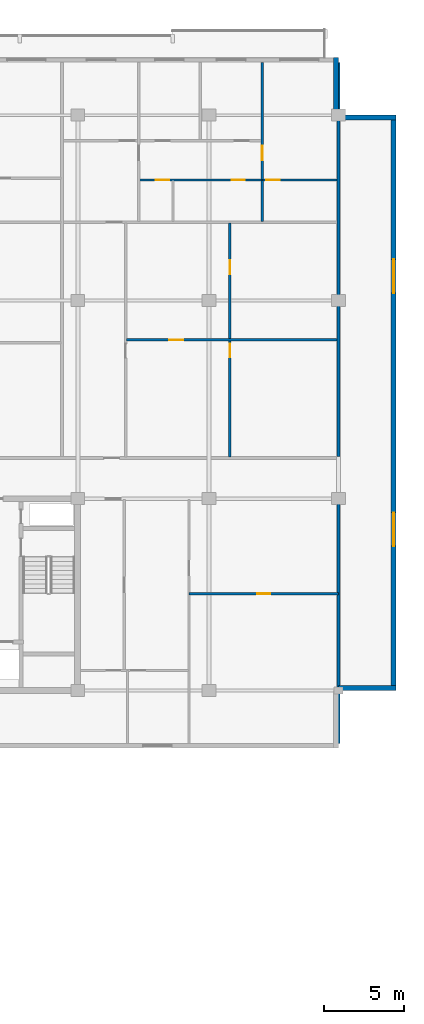
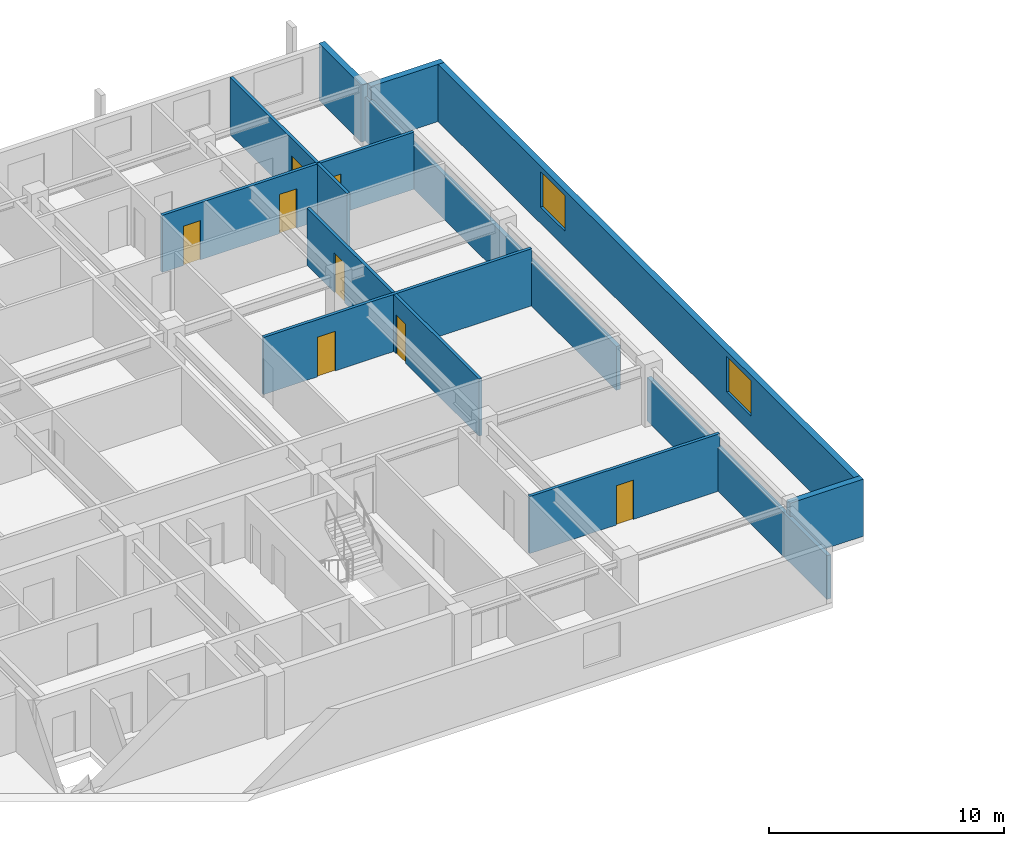
# One storey, part 17 of 23: 12 walls, 8 doors, 2 windows, 10 openings.
"""IFC4 building model written with IfcOpenShell, lengths in metres."""

from ifc_helpers import new_model, si_unit, direction, frame, frame_2d, origin, place, context, subcontext, project, spatial, rectangle, extrude, material, layer, layer_set, type_object, element, fill, save


model = new_model("IFC4")

# Units and contexts
model_context = context("Model", 3, precision=1e-05, world=origin(), true_north=direction((0.0, 1.0)))
body_context = subcontext(model_context, "Body", "Model", "MODEL_VIEW")
ifc_project = project(units=[si_unit("LENGTHUNIT", "METRE"), si_unit("AREAUNIT", "SQUARE_METRE"), si_unit("VOLUMEUNIT", "CUBIC_METRE"), si_unit("PLANEANGLEUNIT", "RADIAN"), si_unit("MASSUNIT", "GRAM", prefix="KILO")], contexts=[model_context])

# Site, building, storey
site_placement = place(None, origin())
site = spatial("IfcSite", under=ifc_project, at=site_placement, CompositionType="ELEMENT")
building_placement = place(site_placement, origin())
building = spatial("IfcBuilding", under=site, at=building_placement, Name="Korimba Cascade Residences", CompositionType="ELEMENT")
storey_placement = place(building_placement, frame((0.0, 0.0, 165.35009765625)))
storey = spatial("IfcBuildingStorey", under=building, at=storey_placement, Name="L47", CompositionType="ELEMENT", Elevation=165.35009765625)

# Wall
ifc_material_1 = material(Name="Precast concrete C40/50", Category="concrete")
ifc_layer_1 = layer(ifc_material_1, 0.300048828125)
ifc_layer_set_1 = layer_set([ifc_layer_1], Name="Precast concrete C40/50")
wall_type_1 = type_object("IfcWallType", Name="EW-STONE-300", PredefinedType="STANDARD", material=ifc_layer_set_1)
wall_1_placement = place(storey_placement, frame((128.39990234375, 55.35009765625, 0.0), z_axis=(0.0, 0.0, 1.0), x_axis=(1.0, 0.0, 0.0)))
element("IfcWall", 1, at=wall_1_placement, inside=storey, type_object=wall_type_1, Name="L47 T1 Perimeter Stone Wall E02", PredefinedType="STANDARD", context=body_context, shape_type="SweptSolid", body=[
    extrude(rectangle(XDim=3.60009765625, YDim=0.300048828125, at=frame_2d((1.800048828125, 0.0))), origin(), (0.0, 0.0, 1.0), 2.969970703125),
])

# Wall, openings, windows
wall_2_placement = place(storey_placement, frame((131.85009765625, 55.199951171875, 0.0), z_axis=(0.0, 0.0, 1.0), x_axis=(0.0, 1.0, 0.0)))
wall_2 = element("IfcWall", 2, at=wall_2_placement, inside=storey, type_object=wall_type_1, Name="L47 T1 Perimeter Stone Wall E03", PredefinedType="STANDARD", context=body_context, shape_type="SweptSolid", body=[
    extrude(rectangle(XDim=36.0, YDim=0.300048828125, at=frame_2d((18.0, 0.0))), origin(), (0.0, 0.0, 1.0), 2.969970703125),
])
opening_1_placement = place(wall_2_placement, frame((9.030029296875, 0.0, 0.85009765625)))
opening_1 = element("IfcOpeningElement", 3, at=opening_1_placement, cuts=wall_2, Name="Opening W-03", PredefinedType="OPENING", context=body_context, shape_type="SweptSolid", body=[
    extrude(rectangle(XDim=2.10009765625, YDim=1.85009765625, at=frame_2d((1.050048828125, 0.925048828125))), frame((0.0, 0.16015625, 0.0), z_axis=(0.0, -1.0, 0.0), x_axis=(1.0, 0.0, 0.0)), (0.0, 0.0, 1.0), 0.320068359375),
])
opening_2_placement = place(wall_2_placement, frame((24.8701171875, 0.0, 0.85009765625)))
opening_2 = element("IfcOpeningElement", 4, at=opening_2_placement, cuts=wall_2, Name="Opening W-03", PredefinedType="OPENING", context=body_context, shape_type="SweptSolid", body=[
    extrude(rectangle(XDim=2.10009765625, YDim=1.85009765625, at=frame_2d((1.050048828125, 0.925048828125))), frame((0.0, 0.16015625, 0.0), z_axis=(0.0, -1.0, 0.0), x_axis=(1.0, 0.0, 0.0)), (0.0, 0.0, 1.0), 0.320068359375),
])
ifc_material_2 = material(Name="Double-Glazed Aluminium Window", Category="aluminium")
window_type = type_object("IfcWindowType", Name="WIN-CRN-2100", PartitioningType="DOUBLE_PANEL_HORIZONTAL", PredefinedType="WINDOW", material=ifc_material_2)
window_1_placement = place(opening_1_placement, origin())
window_1 = element("IfcWindow", 5, at=window_1_placement, inside=storey, type_object=window_type, Name="L47 T1 End View Window 3.1", OverallHeight=1.85009765625, OverallWidth=2.10009765625, PartitioningType="DOUBLE_PANEL_HORIZONTAL", PredefinedType="WINDOW", context=body_context, shape_type="SweptSolid", body=[
    extrude(rectangle(XDim=2.10009765625, YDim=1.85009765625, at=frame_2d((1.050048828125, 0.925048828125))), frame((0.0, 0.030029296875, 0.0), z_axis=(0.0, -1.0, 0.0), x_axis=(1.0, 0.0, 0.0)), (0.0, 0.0, 1.0), 0.06005859375),
])
fill(opening_1, window_1)
window_2_placement = place(opening_2_placement, origin())
window_2 = element("IfcWindow", 6, at=window_2_placement, inside=storey, type_object=window_type, Name="L47 T1 End View Window 3.2", OverallHeight=1.85009765625, OverallWidth=2.10009765625, PartitioningType="DOUBLE_PANEL_HORIZONTAL", PredefinedType="WINDOW", context=body_context, shape_type="SweptSolid", body=[
    extrude(rectangle(XDim=2.10009765625, YDim=1.85009765625, at=frame_2d((1.050048828125, 0.925048828125))), frame((0.0, 0.030029296875, 0.0), z_axis=(0.0, -1.0, 0.0), x_axis=(1.0, 0.0, 0.0)), (0.0, 0.0, 1.0), 0.06005859375),
])
fill(opening_2, window_2)

# Walls
for number, where, z_axis, x_axis, name in (
    (7, (132.0, 91.050048828125, 0.0), (0.0, 0.0, 1.0), (-1.0, 0.0, 0.0), "L47 T1 Perimeter Stone Wall E04"),
    (8, (128.25, 91.199951171875, 0.0), (0.0, 0.0, 1.0), (0.0, 1.0, 0.0), "L47 T1 Perimeter Stone Wall E05"),
):
    element("IfcWall", number, at=place(storey_placement, frame(where, z_axis=z_axis, x_axis=x_axis)), inside=storey, type_object=wall_type_1, Name=name, PredefinedType="STANDARD", context=body_context, shape_type="SweptSolid", body=[
        extrude(rectangle(XDim=3.60009765625, YDim=0.300048828125, at=frame_2d((1.800048828125, 0.0))), origin(), (0.0, 0.0, 1.0), 2.969970703125),
    ])
ifc_layer_2 = layer(ifc_material_1, 0.199951171875)
ifc_layer_set_2 = layer_set([ifc_layer_2], Name="Precast concrete C40/50")
wall_type_2 = type_object("IfcWallType", Name="WAL-IT-200", PredefinedType="PARTITIONING", material=ifc_layer_set_2)
wall_3_placement = place(storey_placement, frame((128.39990234375, 51.89990234375, 0.0), z_axis=(0.0, 0.0, 1.0), x_axis=(0.0, 1.0, 0.0)))
element("IfcWall", 9, at=wall_3_placement, inside=storey, type_object=wall_type_2, Name="L47 Partition Wall WAL-L47-T1-FE-WR", PredefinedType="PARTITIONING", context=body_context, shape_type="SweptSolid", body=[
    extrude(rectangle(XDim=15.300048828125, YDim=0.199951171875, at=frame_2d((7.64990234375, 0.0))), origin(), (0.0, 0.0, 1.0), 2.277099609375),
])
wall_4_placement = place(storey_placement, frame((128.39990234375, 69.830078125, 0.0), z_axis=(0.0, 0.0, 1.0), x_axis=(0.0, 1.0, 0.0)))
element("IfcWall", 10, at=wall_4_placement, inside=storey, type_object=wall_type_2, Name="L47 Partition Wall WAL-L47-T1-BNDWR", PredefinedType="PARTITIONING", context=body_context, shape_type="SweptSolid", body=[
    extrude(rectangle(XDim=24.669921875, YDim=0.199951171875, at=frame_2d((12.3349609375, 0.0))), origin(), (0.0, 0.0, 1.0), 2.277099609375),
])

# Wall, opening, door
ifc_material_3 = material(Name="Insulated Acoustic Stud Partition", Category="gypsum")
ifc_layer_3 = layer(ifc_material_3, 0.14990234375)
ifc_layer_set_3 = layer_set([ifc_layer_3], Name="Insulated Acoustic Stud Partition")
wall_type_3 = type_object("IfcWallType", Name="WAL-PART-150", PredefinedType="PARTITIONING", material=ifc_layer_set_3)
wall_5_placement = place(storey_placement, frame((119.050048828125, 61.25, 0.0), z_axis=(0.0, 0.0, 1.0), x_axis=(1.0, 0.0, 0.0)))
wall_5 = element("IfcWall", 11, at=wall_5_placement, inside=storey, type_object=wall_type_3, Name="L47 Partition Wall WAL-L47-T1-FE-STH", PredefinedType="PARTITIONING", context=body_context, shape_type="SweptSolid", body=[
    extrude(rectangle(XDim=9.349853515625, YDim=0.14990234375, at=frame_2d((4.6748046875, 0.0))), origin(), (0.0, 0.0, 1.0), 2.969970703125),
])
opening_3_placement = place(wall_5_placement, frame((4.2548828125, 0.0, 0.0)))
opening_3 = element("IfcOpeningElement", 12, at=opening_3_placement, cuts=wall_5, Name="Opening D-BT1", PredefinedType="OPENING", context=body_context, shape_type="SweptSolid", body=[
    extrude(rectangle(XDim=0.840087890625, YDim=2.0400390625, at=frame_2d((0.419921875, 1.02001953125))), frame((0.0, 0.0849609375, 0.0), z_axis=(0.0, -1.0, 0.0), x_axis=(1.0, 0.0, 0.0)), (0.0, 0.0, 1.0), 0.169921875),
])
ifc_material_4 = material(Name="Moisture-Resistant Bathroom Timber Door", Category="wood")
door_type_1 = type_object("IfcDoorType", Name="DR-INT-850", OperationType="NOTDEFINED", PredefinedType="DOOR", material=ifc_material_4)
door_1_placement = place(opening_3_placement, origin())
door_1 = element("IfcDoor", 13, at=door_1_placement, inside=storey, type_object=door_type_1, Name="L47-T1-FE Dressing Store Door", OperationType="SINGLE_SWING_LEFT", OverallHeight=2.0400390625, OverallWidth=0.840087890625, PredefinedType="DOOR", context=body_context, shape_type="SweptSolid", body=[
    extrude(rectangle(XDim=0.840087890625, YDim=2.0400390625, at=frame_2d((0.419921875, 1.02001953125))), frame((0.0, 0.02490234375, 0.0), z_axis=(0.0, -1.0, 0.0), x_axis=(1.0, 0.0, 0.0)), (0.0, 0.0, 1.0), 0.050048828125),
])
fill(opening_3, door_1)

# Wall, openings, doors
wall_6_placement = place(storey_placement, frame((121.610107421875, 69.81005859375, 0.0), z_axis=(0.0, 0.0, 1.0), x_axis=(0.0, 1.0, 0.0)))
wall_6 = element("IfcWall", 14, at=wall_6_placement, inside=storey, type_object=wall_type_3, Name="L47 Partition Wall WAL-L47-T1-U04-FMV", PredefinedType="PARTITIONING", context=body_context, shape_type="SweptSolid", body=[
    extrude(rectangle(XDim=14.64990234375, YDim=0.14990234375, at=frame_2d((7.324951171875, 0.0))), origin(), (0.0, 0.0, 1.0), 2.969970703125),
])
opening_4_placement = place(wall_6_placement, frame((6.235107421875, 0.0, 0.0)))
opening_4 = element("IfcOpeningElement", 15, at=opening_4_placement, cuts=wall_6, Name="Opening D-BT1", PredefinedType="OPENING", context=body_context, shape_type="SweptSolid", body=[
    extrude(rectangle(XDim=0.840087890625, YDim=2.0400390625, at=frame_2d((0.419921875, 1.02001953125))), frame((0.0, 0.0849609375, 0.0), z_axis=(0.0, -1.0, 0.0), x_axis=(1.0, 0.0, 0.0)), (0.0, 0.0, 1.0), 0.169921875),
])
opening_5_placement = place(wall_6_placement, frame((11.4326171875, 0.0, 0.0)))
opening_5 = element("IfcOpeningElement", 16, at=opening_5_placement, cuts=wall_6, Name="Opening D-IN2", PredefinedType="OPENING", context=body_context, shape_type="SweptSolid", body=[
    extrude(rectangle(XDim=0.8798828125, YDim=2.06005859375, at=frame_2d((0.43994140625, 1.030029296875))), frame((0.0, 0.0849609375, 0.0), z_axis=(0.0, -1.0, 0.0), x_axis=(1.0, 0.0, 0.0)), (0.0, 0.0, 1.0), 0.169921875),
])
door_2_placement = place(opening_4_placement, origin())
door_2 = element("IfcDoor", 17, at=door_2_placement, inside=storey, type_object=door_type_1, Name="L47-T1-U04 Wardrobe Door", OperationType="SINGLE_SWING_LEFT", OverallHeight=2.0400390625, OverallWidth=0.840087890625, PredefinedType="DOOR", context=body_context, shape_type="SweptSolid", body=[
    extrude(rectangle(XDim=0.840087890625, YDim=2.0400390625, at=frame_2d((0.419921875, 1.02001953125))), frame((0.0, 0.02490234375, 0.0), z_axis=(0.0, -1.0, 0.0), x_axis=(1.0, 0.0, 0.0)), (0.0, 0.0, 1.0), 0.050048828125),
])
fill(opening_4, door_2)
ifc_material_5 = material(Name="Acoustic Timber Bedroom Door", Category="wood")
door_type_2 = type_object("IfcDoorType", Name="DR-INT-880", OperationType="NOTDEFINED", PredefinedType="DOOR", material=ifc_material_5)
door_3_placement = place(opening_5_placement, origin())
door_3 = element("IfcDoor", 18, at=door_3_placement, inside=storey, type_object=door_type_2, Name="L47-T1-U04 Music Lounge Door", OperationType="SINGLE_SWING_RIGHT", OverallHeight=2.06005859375, OverallWidth=0.8798828125, PredefinedType="DOOR", context=body_context, shape_type="SweptSolid", body=[
    extrude(rectangle(XDim=0.8798828125, YDim=2.06005859375, at=frame_2d((0.43994140625, 1.030029296875))), frame((0.0, 0.02490234375, 0.0), z_axis=(0.0, -1.0, 0.0), x_axis=(1.0, 0.0, 0.0)), (0.0, 0.0, 1.0), 0.050048828125),
])
fill(opening_5, door_3)

# Wall, opening, door
wall_7_placement = place(storey_placement, frame((115.14013671875, 77.135009765625, 0.0), z_axis=(0.0, 0.0, 1.0), x_axis=(1.0, 0.0, 0.0)))
wall_7 = element("IfcWall", 19, at=wall_7_placement, inside=storey, type_object=wall_type_3, Name="L47 Partition Wall WAL-L47-T1-U04-FMH", PredefinedType="PARTITIONING", context=body_context, shape_type="SweptSolid", body=[
    extrude(rectangle(XDim=13.179931640625, YDim=0.14990234375, at=frame_2d((6.58984375, 0.0))), origin(), (0.0, 0.0, 1.0), 2.969970703125),
])
opening_6_placement = place(wall_7_placement, frame((2.6591796875, 0.0, 0.0)))
opening_6 = element("IfcOpeningElement", 20, at=opening_6_placement, cuts=wall_7, Name="Opening D-IN2", PredefinedType="OPENING", context=body_context, shape_type="SweptSolid", body=[
    extrude(rectangle(XDim=0.8798828125, YDim=2.06005859375, at=frame_2d((0.43994140625, 1.030029296875))), frame((0.0, 0.0849609375, 0.0), z_axis=(0.0, -1.0, 0.0), x_axis=(1.0, 0.0, 0.0)), (0.0, 0.0, 1.0), 0.169921875),
])
door_4_placement = place(opening_6_placement, origin())
door_4 = element("IfcDoor", 21, at=door_4_placement, inside=storey, type_object=door_type_2, Name="L47-T1-U04 Library Salon Door", OperationType="SINGLE_SWING_LEFT", OverallHeight=2.06005859375, OverallWidth=0.8798828125, PredefinedType="DOOR", context=body_context, shape_type="SweptSolid", body=[
    extrude(rectangle(XDim=0.8798828125, YDim=2.06005859375, at=frame_2d((0.43994140625, 1.030029296875))), frame((0.0, 0.02490234375, 0.0), z_axis=(0.0, -1.0, 0.0), x_axis=(1.0, 0.0, 0.0)), (0.0, 0.0, 1.0), 0.050048828125),
])
fill(opening_6, door_4)

# Wall
wall_8_placement = place(storey_placement, frame((123.6298828125, 84.5400390625, 0.0), z_axis=(0.0, 0.0, 1.0), x_axis=(0.0, 1.0, 0.0)))
element("IfcWall", 22, at=wall_8_placement, inside=storey, type_object=wall_type_3, Name="L47 Partition Wall WAL-L47-T1-U04-VBATH", PredefinedType="PARTITIONING", context=body_context, shape_type="SweptSolid", body=[
    extrude(rectangle(XDim=2.580078125, YDim=0.14990234375, at=frame_2d((1.2900390625, 0.0))), origin(), (0.0, 0.0, 1.0), 2.969970703125),
])

# Wall, opening, door
wall_9_placement = place(storey_placement, frame((123.6298828125, 87.159912109375, 0.0), z_axis=(0.0, 0.0, 1.0), x_axis=(0.0, 1.0, 0.0)))
wall_9 = element("IfcWall", 23, at=wall_9_placement, inside=storey, type_object=wall_type_3, Name="L47 Partition Wall WAL-L47-T1-U04-V2FULL", PredefinedType="PARTITIONING", context=body_context, shape_type="SweptSolid", body=[
    extrude(rectangle(XDim=7.340087890625, YDim=0.14990234375, at=frame_2d((3.669921875, 0.0))), origin(), (0.0, 0.0, 1.0), 2.969970703125),
])
opening_7_placement = place(wall_9_placement, frame((1.199951171875, 0.0, 0.0)))
opening_7 = element("IfcOpeningElement", 24, at=opening_7_placement, cuts=wall_9, Name="Opening D-IN1", PredefinedType="OPENING", context=body_context, shape_type="SweptSolid", body=[
    extrude(rectangle(XDim=0.919921875, YDim=2.080078125, at=frame_2d((0.4599609375, 1.0400390625))), frame((0.0, 0.0849609375, 0.0), z_axis=(0.0, -1.0, 0.0), x_axis=(1.0, 0.0, 0.0)), (0.0, 0.0, 1.0), 0.169921875),
])
ifc_material_6 = material(Name="Acoustic Timber Living Door", Category="wood")
door_type_3 = type_object("IfcDoorType", Name="DR-INT-920", OperationType="NOTDEFINED", PredefinedType="DOOR", material=ifc_material_6)
door_5_placement = place(opening_7_placement, origin())
door_5 = element("IfcDoor", 25, at=door_5_placement, inside=storey, type_object=door_type_3, Name="L47-T1-U04 Master Bedroom Door", OperationType="SINGLE_SWING_RIGHT", OverallHeight=2.080078125, OverallWidth=0.919921875, PredefinedType="DOOR", context=body_context, shape_type="SweptSolid", body=[
    extrude(rectangle(XDim=0.919921875, YDim=2.080078125, at=frame_2d((0.4599609375, 1.0400390625))), frame((0.0, 0.02490234375, 0.0), z_axis=(0.0, -1.0, 0.0), x_axis=(1.0, 0.0, 0.0)), (0.0, 0.0, 1.0), 0.050048828125),
])
fill(opening_7, door_5)

# Wall, openings, doors
wall_10_placement = place(storey_placement, frame((115.940185546875, 87.139892578125, 0.0), z_axis=(0.0, 0.0, 1.0), x_axis=(1.0, 0.0, 0.0)))
wall_10 = element("IfcWall", 26, at=wall_10_placement, inside=storey, type_object=wall_type_3, Name="L47 Partition Wall WAL-L47-T1-U04-HWALL", PredefinedType="PARTITIONING", context=body_context, shape_type="SweptSolid", body=[
    extrude(rectangle(XDim=12.3798828125, YDim=0.14990234375, at=frame_2d((6.18994140625, 0.0))), origin(), (0.0, 0.0, 1.0), 2.969970703125),
])
opening_8_placement = place(wall_10_placement, frame((1.033935546875, 0.0, 0.0)))
opening_8 = element("IfcOpeningElement", 27, at=opening_8_placement, cuts=wall_10, Name="Opening D-BT1", PredefinedType="OPENING", context=body_context, shape_type="SweptSolid", body=[
    extrude(rectangle(XDim=0.840087890625, YDim=2.0400390625, at=frame_2d((0.419921875, 1.02001953125))), frame((0.0, 0.0849609375, 0.0), z_axis=(0.0, -1.0, 0.0), x_axis=(1.0, 0.0, 0.0)), (0.0, 0.0, 1.0), 0.169921875),
])
opening_9_placement = place(wall_10_placement, frame((5.77001953125, 0.0, 0.0)))
opening_9 = element("IfcOpeningElement", 28, at=opening_9_placement, cuts=wall_10, Name="Opening D-BT1", PredefinedType="OPENING", context=body_context, shape_type="SweptSolid", body=[
    extrude(rectangle(XDim=0.840087890625, YDim=2.0400390625, at=frame_2d((0.419921875, 1.02001953125))), frame((0.0, 0.0849609375, 0.0), z_axis=(0.0, -1.0, 0.0), x_axis=(1.0, 0.0, 0.0)), (0.0, 0.0, 1.0), 0.169921875),
])
opening_10_placement = place(wall_10_placement, frame((7.93994140625, 0.0, 0.0)))
opening_10 = element("IfcOpeningElement", 29, at=opening_10_placement, cuts=wall_10, Name="Opening D-BT1", PredefinedType="OPENING", context=body_context, shape_type="SweptSolid", body=[
    extrude(rectangle(XDim=0.840087890625, YDim=2.0400390625, at=frame_2d((0.419921875, 1.02001953125))), frame((0.0, 0.0849609375, 0.0), z_axis=(0.0, -1.0, 0.0), x_axis=(1.0, 0.0, 0.0)), (0.0, 0.0, 1.0), 0.169921875),
])
door_6_placement = place(opening_8_placement, origin())
door_6 = element("IfcDoor", 30, at=door_6_placement, inside=storey, type_object=door_type_1, Name="L47-T1-U04 Family Bathroom Door", OperationType="SINGLE_SWING_LEFT", OverallHeight=2.0400390625, OverallWidth=0.840087890625, PredefinedType="DOOR", context=body_context, shape_type="SweptSolid", body=[
    extrude(rectangle(XDim=0.840087890625, YDim=2.0400390625, at=frame_2d((0.419921875, 1.02001953125))), frame((0.0, 0.02490234375, 0.0), z_axis=(0.0, -1.0, 0.0), x_axis=(1.0, 0.0, 0.0)), (0.0, 0.0, 1.0), 0.050048828125),
])
fill(opening_8, door_6)
door_7_placement = place(opening_9_placement, origin())
door_7 = element("IfcDoor", 31, at=door_7_placement, inside=storey, type_object=door_type_1, Name="L47-T1-U04 Dressing Room Door", OperationType="SINGLE_SWING_RIGHT", OverallHeight=2.0400390625, OverallWidth=0.840087890625, PredefinedType="DOOR", context=body_context, shape_type="SweptSolid", body=[
    extrude(rectangle(XDim=0.840087890625, YDim=2.0400390625, at=frame_2d((0.419921875, 1.02001953125))), frame((0.0, 0.02490234375, 0.0), z_axis=(0.0, -1.0, 0.0), x_axis=(1.0, 0.0, 0.0)), (0.0, 0.0, 1.0), 0.050048828125),
])
fill(opening_9, door_7)
door_8_placement = place(opening_10_placement, origin())
door_8 = element("IfcDoor", 32, at=door_8_placement, inside=storey, type_object=door_type_1, Name="L47-T1-U04 En-Suite Door", OperationType="SINGLE_SWING_LEFT", OverallHeight=2.0400390625, OverallWidth=0.840087890625, PredefinedType="DOOR", context=body_context, shape_type="SweptSolid", body=[
    extrude(rectangle(XDim=0.840087890625, YDim=2.0400390625, at=frame_2d((0.419921875, 1.02001953125))), frame((0.0, 0.02490234375, 0.0), z_axis=(0.0, -1.0, 0.0), x_axis=(1.0, 0.0, 0.0)), (0.0, 0.0, 1.0), 0.050048828125),
])
fill(opening_10, door_8)

save(model, "model.ifc")
